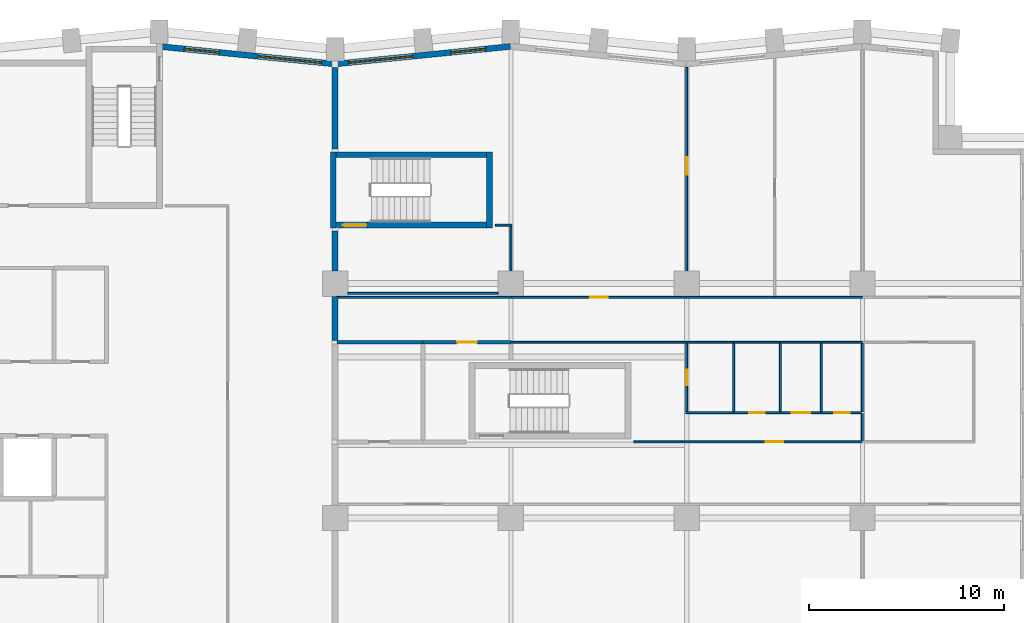
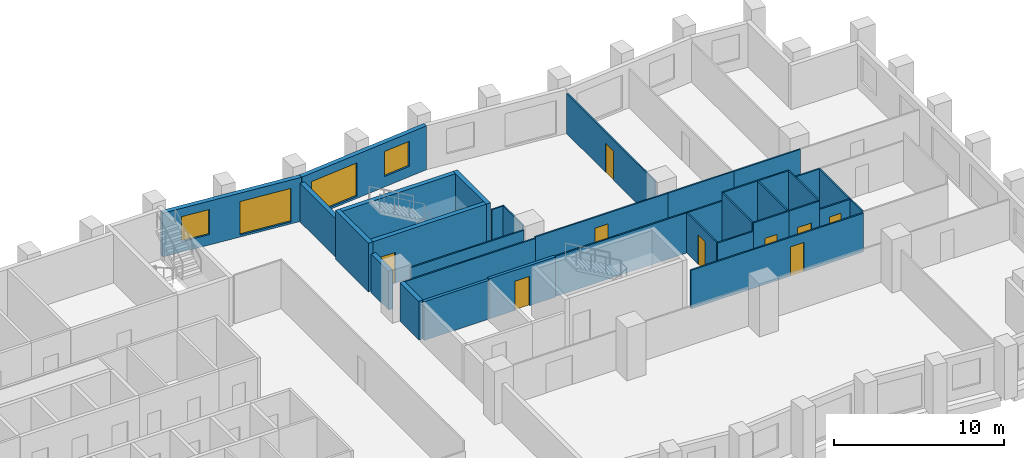
# One storey, part 7 of 11: 35 walls, 9 doors, 4 windows, 13 openings.
"""IFC4 building model written with IfcOpenShell, lengths in metres."""

from ifc_helpers import new_model, si_unit, direction, frame, frame_2d, origin, place, context, subcontext, project, spatial, rectangle, extrude, material, layer, layer_set, type_object, element, fill, save


model = new_model("IFC4")

# Units and contexts
model_context = context("Model", 3, precision=1e-05, world=origin(), true_north=direction((0.0, 1.0)))
body_context = subcontext(model_context, "Body", "Model", "MODEL_VIEW")
ifc_project = project(units=[si_unit("LENGTHUNIT", "METRE"), si_unit("AREAUNIT", "SQUARE_METRE"), si_unit("VOLUMEUNIT", "CUBIC_METRE"), si_unit("PLANEANGLEUNIT", "RADIAN"), si_unit("MASSUNIT", "GRAM", prefix="KILO")], contexts=[model_context])

# Site, building, storey
site_placement = place(None, origin())
site = spatial("IfcSite", under=ifc_project, at=site_placement, CompositionType="ELEMENT")
building_placement = place(site_placement, origin())
building = spatial("IfcBuilding", under=site, at=building_placement, Name="Brondeck Convention Tower", CompositionType="ELEMENT")
storey_placement = place(building_placement, frame((0.0, 0.0, 118.89990234375)))
storey = spatial("IfcBuildingStorey", under=building, at=storey_placement, Name="L28", CompositionType="ELEMENT", Elevation=118.89990234375)

# Walls
ifc_material_1 = material(Name="Concrete compartment wall C30/37", Category="concrete")
ifc_layer_1 = layer(ifc_material_1, 0.300048828125)
ifc_layer_set_1 = layer_set([ifc_layer_1], Name="Compartment wall 300")
wall_type_1 = type_object("IfcWallType", Name="Compartment wall 300", PredefinedType="PARTITIONING", material=ifc_layer_set_1)
wall_1_placement = place(storey_placement, frame((36.0, 48.10009765625, 0.0), z_axis=(0.0, 0.0, 1.0), x_axis=(0.0, 1.0, 0.0)))
element("IfcWall", 1, at=wall_1_placement, inside=storey, type_object=wall_type_1, Name="FLR-L28-W054", PredefinedType="PARTITIONING", context=body_context, shape_type="SweptSolid", body=[
    extrude(rectangle(XDim=2.22998046875, YDim=0.300048828125, at=frame_2d((1.114990234375, 0.0))), origin(), (0.0, 0.0, 1.0), 2.780029296875),
])
wall_2_placement = place(storey_placement, frame((36.0, 51.655029296875, 0.0), z_axis=(0.0, 0.0, 1.0), x_axis=(0.0, 1.0, 0.0)))
element("IfcWall", 2, at=wall_2_placement, inside=storey, type_object=wall_type_1, Name="FLR-L28-W061", PredefinedType="PARTITIONING", context=body_context, shape_type="SweptSolid", body=[
    extrude(rectangle(XDim=2.044921875, YDim=0.300048828125, at=frame_2d((1.0224609375, 0.0))), origin(), (0.0, 0.0, 1.0), 2.780029296875),
])
wall_3_placement = place(storey_placement, frame((36.0, 57.89990234375, 0.0), z_axis=(0.0, 0.0, 1.0), x_axis=(0.0, 1.0, 0.0)))
element("IfcWall", 3, at=wall_3_placement, inside=storey, type_object=wall_type_1, Name="FLR-L28-W066", PredefinedType="PARTITIONING", context=body_context, shape_type="SweptSolid", body=[
    extrude(rectangle(XDim=4.175537109375, YDim=0.300048828125, at=frame_2d((2.087890625, 0.0))), origin(), (0.0, 0.0, 1.0), 2.780029296875),
])

# Wall, openings, windows
ifc_material_2 = material(Name="Precast concrete C50/60 bronze finish", Category="concrete")
ifc_layer_2 = layer(ifc_material_2, 0.070068359375, Name="Bronze precast facing")
ifc_material_3 = material(Name="Mineral wool")
ifc_layer_3 = layer(ifc_material_3, 0.159912109375, Name="Insulation")
ifc_material_4 = material(Name="Concrete C35/45", Category="concrete")
ifc_layer_4 = layer(ifc_material_4, 0.070068359375, Name="Backing")
ifc_layer_set_2 = layer_set([ifc_layer_2, ifc_layer_3, ifc_layer_4], Name="External infill wall, precast concrete C50/60 bronze facing")
wall_type_2 = type_object("IfcWallType", Name="External infill wall, precast concrete C50/60 bronze facing", PredefinedType="SOLIDWALL", material=ifc_layer_set_2)
wall_4_placement = place(storey_placement, frame((35.985107421875, 62.244873046875, 0.0), z_axis=(0.0, 0.0, 1.0), x_axis=(0.995037993253, 0.099495688264, 0.0)))
wall_4 = element("IfcWall", 4, at=wall_4_placement, inside=storey, type_object=wall_type_2, Name="ENV-EW-L28-P0-A-N-09", PredefinedType="SOLIDWALL", context=body_context, shape_type="SweptSolid", body=[
    extrude(rectangle(XDim=9.030029296875, YDim=0.300048828125, at=frame_2d((4.51513671875, 0.0))), origin(), (0.0, 0.0, 1.0), 3.150146484375),
])
opening_1_placement = place(wall_4_placement, frame((0.701171875, 0.0, 0.14990234375)))
opening_1 = element("IfcOpeningElement", 5, at=opening_1_placement, cuts=wall_4, Name="Opening W9", PredefinedType="OPENING", context=body_context, shape_type="SweptSolid", body=[
    extrude(rectangle(XDim=3.300048828125, YDim=2.39990234375, at=frame_2d((1.64990234375, 1.199951171875))), frame((0.0, 0.159912109375, 0.0), z_axis=(0.0, -1.0, 0.0), x_axis=(1.0, 0.0, 0.0)), (0.0, 0.0, 1.0), 0.320068359375),
])
opening_2_placement = place(wall_4_placement, frame((5.9736328125, 0.0, 0.75)))
opening_2 = element("IfcOpeningElement", 6, at=opening_2_placement, cuts=wall_4, Name="Opening W10", PredefinedType="OPENING", context=body_context, shape_type="SweptSolid", body=[
    extrude(rectangle(XDim=1.800048828125, YDim=1.800048828125, at=frame_2d((0.89990234375, 0.89990234375))), frame((0.0, 0.159912109375, 0.0), z_axis=(0.0, -1.0, 0.0), x_axis=(1.0, 0.0, 0.0)), (0.0, 0.0, 1.0), 0.320068359375),
])
ifc_material_5 = material(Name="Bronze tinted double glazing", Category="glass")
window_type_1 = type_object("IfcWindowType", Name="Glazed flute window, bronze tinted", PartitioningType="SINGLE_PANEL", PredefinedType="WINDOW", material=ifc_material_5)
window_1_placement = place(opening_1_placement, origin())
window_1 = element("IfcWindow", 7, at=window_1_placement, inside=storey, type_object=window_type_1, Name="ENV-WN-L28-P0-A-N-08", OverallHeight=2.39990234375, OverallWidth=3.300048828125, PartitioningType="SINGLE_PANEL", PredefinedType="WINDOW", context=body_context, shape_type="SweptSolid", body=[
    extrude(rectangle(XDim=3.300048828125, YDim=2.39990234375, at=frame_2d((1.64990234375, 1.199951171875))), frame((0.0, 0.030029296875, 0.0), z_axis=(0.0, -1.0, 0.0), x_axis=(1.0, 0.0, 0.0)), (0.0, 0.0, 1.0), 0.06005859375),
])
fill(opening_1, window_1)
window_type_2 = type_object("IfcWindowType", Name="Punched window, bronze tinted", PartitioningType="SINGLE_PANEL", PredefinedType="WINDOW", material=ifc_material_5)
window_2_placement = place(opening_2_placement, origin())
window_2 = element("IfcWindow", 8, at=window_2_placement, inside=storey, type_object=window_type_2, Name="ENV-WN-L28-P0-A-N-09", OverallHeight=1.800048828125, OverallWidth=1.800048828125, PartitioningType="SINGLE_PANEL", PredefinedType="WINDOW", context=body_context, shape_type="SweptSolid", body=[
    extrude(rectangle(XDim=1.800048828125, YDim=1.800048828125, at=frame_2d((0.89990234375, 0.89990234375))), frame((0.0, 0.030029296875, 0.0), z_axis=(0.0, -1.0, 0.0), x_axis=(1.0, 0.0, 0.0)), (0.0, 0.0, 1.0), 0.06005859375),
])
fill(opening_2, window_2)

wall_5_placement = place(storey_placement, frame((27.07470703125, 63.138916015625, 0.0), z_axis=(0.0, 0.0, 1.0), x_axis=(0.995036108601, -0.099514534519, 0.0)))
wall_5 = element("IfcWall", 9, at=wall_5_placement, inside=storey, type_object=wall_type_2, Name="ENV-EW-L28-P0-A-N-07", PredefinedType="SOLIDWALL", context=body_context, shape_type="SweptSolid", body=[
    extrude(rectangle(XDim=8.93994140625, YDim=0.300048828125, at=frame_2d((4.469970703125, 0.0))), origin(), (0.0, 0.0, 1.0), 3.150146484375),
])
opening_3_placement = place(wall_5_placement, frame((1.211181640625, 0.0, 0.75)))
opening_3 = element("IfcOpeningElement", 10, at=opening_3_placement, cuts=wall_5, Name="Opening W10", PredefinedType="OPENING", context=body_context, shape_type="SweptSolid", body=[
    extrude(rectangle(XDim=1.800048828125, YDim=1.800048828125, at=frame_2d((0.89990234375, 0.89990234375))), frame((0.0, 0.159912109375, 0.0), z_axis=(0.0, -1.0, 0.0), x_axis=(1.0, 0.0, 0.0)), (0.0, 0.0, 1.0), 0.320068359375),
])
opening_4_placement = place(wall_5_placement, frame((4.983642578125, 0.0, 0.14990234375)))
opening_4 = element("IfcOpeningElement", 11, at=opening_4_placement, cuts=wall_5, Name="Opening W9", PredefinedType="OPENING", context=body_context, shape_type="SweptSolid", body=[
    extrude(rectangle(XDim=3.300048828125, YDim=2.39990234375, at=frame_2d((1.64990234375, 1.199951171875))), frame((0.0, 0.159912109375, 0.0), z_axis=(0.0, -1.0, 0.0), x_axis=(1.0, 0.0, 0.0)), (0.0, 0.0, 1.0), 0.320068359375),
])
window_3_placement = place(opening_4_placement, origin())
window_3 = element("IfcWindow", 12, at=window_3_placement, inside=storey, type_object=window_type_1, Name="ENV-WN-L28-P0-A-N-07", OverallHeight=2.39990234375, OverallWidth=3.300048828125, PartitioningType="SINGLE_PANEL", PredefinedType="WINDOW", context=body_context, shape_type="SweptSolid", body=[
    extrude(rectangle(XDim=3.300048828125, YDim=2.39990234375, at=frame_2d((1.64990234375, 1.199951171875))), frame((0.0, 0.030029296875, 0.0), z_axis=(0.0, -1.0, 0.0), x_axis=(1.0, 0.0, 0.0)), (0.0, 0.0, 1.0), 0.06005859375),
])
fill(opening_4, window_3)
window_4_placement = place(opening_3_placement, origin())
window_4 = element("IfcWindow", 13, at=window_4_placement, inside=storey, type_object=window_type_2, Name="ENV-WN-L28-P0-A-N-06", OverallHeight=1.800048828125, OverallWidth=1.800048828125, PartitioningType="SINGLE_PANEL", PredefinedType="WINDOW", context=body_context, shape_type="SweptSolid", body=[
    extrude(rectangle(XDim=1.800048828125, YDim=1.800048828125, at=frame_2d((0.89990234375, 0.89990234375))), frame((0.0, 0.030029296875, 0.0), z_axis=(0.0, -1.0, 0.0), x_axis=(1.0, 0.0, 0.0)), (0.0, 0.0, 1.0), 0.06005859375),
])
fill(opening_3, window_4)

# Wall
ifc_material_6 = material(Name="Concrete block wall C16/20", Category="concrete")
ifc_layer_5 = layer(ifc_material_6, 0.199951171875)
ifc_layer_set_3 = layer_set([ifc_layer_5], Name="Plant room wall 200")
wall_type_3 = type_object("IfcWallType", Name="Plant room wall 200", PredefinedType="PARTITIONING", material=ifc_layer_set_3)
wall_6_placement = place(storey_placement, frame((40.5, 48.0, 0.0), z_axis=(0.0, 0.0, 1.0), x_axis=(-1.0, 0.0, 0.0)))
element("IfcWall", 14, at=wall_6_placement, inside=storey, type_object=wall_type_3, Name="FLR-L28-W046", PredefinedType="PARTITIONING", context=body_context, shape_type="SweptSolid", body=[
    extrude(rectangle(XDim=4.39990234375, YDim=0.199951171875, at=frame_2d((2.199951171875, 0.0))), origin(), (0.0, 0.0, 1.0), 2.780029296875),
])

# Wall, opening, door
wall_7_placement = place(storey_placement, frame((45.0, 48.0, 0.0), z_axis=(0.0, 0.0, 1.0), x_axis=(-1.0, 0.0, 0.0)))
wall_7 = element("IfcWall", 15, at=wall_7_placement, inside=storey, type_object=wall_type_3, Name="FLR-L28-W047", PredefinedType="PARTITIONING", context=body_context, shape_type="SweptSolid", body=[
    extrude(rectangle(XDim=4.5, YDim=0.199951171875, at=frame_2d((2.25, 0.0))), origin(), (0.0, 0.0, 1.0), 2.880126953125),
])
opening_5_placement = place(wall_7_placement, frame((1.75, 0.0, 0.0)))
opening_5 = element("IfcOpeningElement", 16, at=opening_5_placement, cuts=wall_7, Name="Opening OF-C-003", PredefinedType="OPENING", context=body_context, shape_type="SweptSolid", body=[
    extrude(rectangle(XDim=1.0, YDim=2.10009765625, at=frame_2d((0.5, 1.050048828125))), frame((0.0, 0.10986328125, 0.0), z_axis=(0.0, -1.0, 0.0), x_axis=(1.0, 0.0, 0.0)), (0.0, 0.0, 1.0), 0.219970703125),
])
ifc_material_7 = material(Name="Steel fire door leaf", Category="steel")
door_type_1 = type_object("IfcDoorType", Name="Plant room door 1000", OperationType="NOTDEFINED", PredefinedType="DOOR", material=ifc_material_7)
door_1_placement = place(opening_5_placement, origin())
door_1 = element("IfcDoor", 17, at=door_1_placement, inside=storey, type_object=door_type_1, Name="Door OF-C-003", OperationType="SINGLE_SWING_LEFT", OverallHeight=2.10009765625, OverallWidth=1.0, PredefinedType="DOOR", context=body_context, shape_type="SweptSolid", body=[
    extrude(rectangle(XDim=1.0, YDim=2.10009765625, at=frame_2d((0.5, 1.050048828125))), frame((0.0, 0.02490234375, 0.0), z_axis=(0.0, -1.0, 0.0), x_axis=(1.0, 0.0, 0.0)), (0.0, 0.0, 1.0), 0.050048828125),
])
fill(opening_5, door_1)

ifc_material_8 = material(Name="Gypsum board partition on steel studs", Category="steel")
ifc_layer_6 = layer(ifc_material_8, 0.10009765625)
ifc_layer_set_4 = layer_set([ifc_layer_6], Name="Room partition 100")
wall_type_4 = type_object("IfcWallType", Name="Room partition 100", PredefinedType="PARTITIONING", material=ifc_layer_set_4)
wall_8_placement = place(storey_placement, frame((51.300048828125, 42.89990234375, 0.0), z_axis=(0.0, 0.0, 1.0), x_axis=(1.0, 0.0, 0.0)))
wall_8 = element("IfcWall", 18, at=wall_8_placement, inside=storey, type_object=wall_type_4, Name="FLR-L28-W030", PredefinedType="PARTITIONING", context=body_context, shape_type="SweptSolid", body=[
    extrude(rectangle(XDim=11.699951171875, YDim=0.10009765625, at=frame_2d((5.85009765625, 0.0))), origin(), (0.0, 0.0, 1.0), 2.780029296875),
])
opening_6_placement = place(wall_8_placement, frame((6.75, 0.0, 0.0)))
opening_6 = element("IfcOpeningElement", 19, at=opening_6_placement, cuts=wall_8, Name="Opening OF-C-004", PredefinedType="OPENING", context=body_context, shape_type="SweptSolid", body=[
    extrude(rectangle(XDim=0.89990234375, YDim=2.10009765625, at=frame_2d((0.449951171875, 1.050048828125))), frame((0.0, 0.06005859375, 0.0), z_axis=(0.0, -1.0, 0.0), x_axis=(1.0, 0.0, 0.0)), (0.0, 0.0, 1.0), 0.1201171875),
])
ifc_material_9 = material(Name="Solid timber door leaf", Category="wood")
door_type_2 = type_object("IfcDoorType", Name="Single door 900", OperationType="NOTDEFINED", PredefinedType="DOOR", material=ifc_material_9)
door_2_placement = place(opening_6_placement, origin())
door_2 = element("IfcDoor", 20, at=door_2_placement, inside=storey, type_object=door_type_2, Name="Door OF-C-004", OperationType="SINGLE_SWING_LEFT", OverallHeight=2.10009765625, OverallWidth=0.89990234375, PredefinedType="DOOR", context=body_context, shape_type="SweptSolid", body=[
    extrude(rectangle(XDim=0.89990234375, YDim=2.10009765625, at=frame_2d((0.449951171875, 1.050048828125))), frame((0.0, 0.02490234375, 0.0), z_axis=(0.0, -1.0, 0.0), x_axis=(1.0, 0.0, 0.0)), (0.0, 0.0, 1.0), 0.050048828125),
])
fill(opening_6, door_2)

# Walls
wall_9_placement = place(storey_placement, frame((63.0, 44.35009765625, 0.0), z_axis=(0.0, 0.0, 1.0), x_axis=(0.0, -1.0, 0.0)))
element("IfcWall", 21, at=wall_9_placement, inside=storey, type_object=wall_type_4, Name="FLR-L28-W034", PredefinedType="PARTITIONING", context=body_context, shape_type="SweptSolid", body=[
    extrude(rectangle(XDim=1.400146484375, YDim=0.10009765625, at=frame_2d((0.7001953125, 0.0))), origin(), (0.0, 0.0, 1.0), 2.880126953125),
])
wall_10_placement = place(storey_placement, frame((53.949951171875, 44.39990234375, 0.0), z_axis=(0.0, 0.0, 1.0), x_axis=(1.0, 0.0, 0.0)))
element("IfcWall", 22, at=wall_10_placement, inside=storey, type_object=wall_type_4, Name="FLR-L28-W035", PredefinedType="PARTITIONING", context=body_context, shape_type="SweptSolid", body=[
    extrude(rectangle(XDim=2.449951171875, YDim=0.10009765625, at=frame_2d((1.22509765625, 0.0))), origin(), (0.0, 0.0, 1.0), 2.880126953125),
])

# Wall, opening, door
wall_11_placement = place(storey_placement, frame((56.39990234375, 44.39990234375, 0.0), z_axis=(0.0, 0.0, 1.0), x_axis=(1.0, 0.0, 0.0)))
wall_11 = element("IfcWall", 23, at=wall_11_placement, inside=storey, type_object=wall_type_4, Name="FLR-L28-W036", PredefinedType="PARTITIONING", context=body_context, shape_type="SweptSolid", body=[
    extrude(rectangle(XDim=2.400146484375, YDim=0.10009765625, at=frame_2d((1.2001953125, 0.0))), origin(), (0.0, 0.0, 1.0), 3.47998046875),
])
opening_7_placement = place(wall_11_placement, frame((0.800048828125, 0.0, 0.0)))
opening_7 = element("IfcOpeningElement", 24, at=opening_7_placement, cuts=wall_11, Name="Opening OF-C-006", PredefinedType="OPENING", context=body_context, shape_type="SweptSolid", body=[
    extrude(rectangle(XDim=0.800048828125, YDim=2.10009765625, at=frame_2d((0.39990234375, 1.050048828125))), frame((0.0, 0.06005859375, 0.0), z_axis=(0.0, -1.0, 0.0), x_axis=(1.0, 0.0, 0.0)), (0.0, 0.0, 1.0), 0.1201171875),
])
door_type_3 = type_object("IfcDoorType", Name="En-suite door 800", OperationType="NOTDEFINED", PredefinedType="DOOR", material=ifc_material_9)
door_3_placement = place(opening_7_placement, origin())
door_3 = element("IfcDoor", 25, at=door_3_placement, inside=storey, type_object=door_type_3, Name="Door OF-C-006", OperationType="SINGLE_SWING_RIGHT", OverallHeight=2.10009765625, OverallWidth=0.800048828125, PredefinedType="DOOR", context=body_context, shape_type="SweptSolid", body=[
    extrude(rectangle(XDim=0.800048828125, YDim=2.10009765625, at=frame_2d((0.39990234375, 1.050048828125))), frame((0.0, 0.02490234375, 0.0), z_axis=(0.0, -1.0, 0.0), x_axis=(1.0, 0.0, 0.0)), (0.0, 0.0, 1.0), 0.050048828125),
])
fill(opening_7, door_3)

wall_12_placement = place(storey_placement, frame((58.800048828125, 44.39990234375, 0.0), z_axis=(0.0, 0.0, 1.0), x_axis=(1.0, 0.0, 0.0)))
wall_12 = element("IfcWall", 26, at=wall_12_placement, inside=storey, type_object=wall_type_4, Name="FLR-L28-W037", PredefinedType="PARTITIONING", context=body_context, shape_type="SweptSolid", body=[
    extrude(rectangle(XDim=2.099853515625, YDim=0.10009765625, at=frame_2d((1.0498046875, 0.0))), origin(), (0.0, 0.0, 1.0), 3.47998046875),
])
opening_8_placement = place(wall_12_placement, frame((0.574951171875, 0.0, 0.0)))
opening_8 = element("IfcOpeningElement", 27, at=opening_8_placement, cuts=wall_12, Name="Opening OF-C-007", PredefinedType="OPENING", context=body_context, shape_type="SweptSolid", body=[
    extrude(rectangle(XDim=0.949951171875, YDim=2.10009765625, at=frame_2d((0.47509765625, 1.050048828125))), frame((0.0, 0.06005859375, 0.0), z_axis=(0.0, -1.0, 0.0), x_axis=(1.0, 0.0, 0.0)), (0.0, 0.0, 1.0), 0.1201171875),
])
door_type_4 = type_object("IfcDoorType", Name="Accessible door 950", OperationType="NOTDEFINED", PredefinedType="DOOR", material=ifc_material_9)
door_4_placement = place(opening_8_placement, origin())
door_4 = element("IfcDoor", 28, at=door_4_placement, inside=storey, type_object=door_type_4, Name="Door OF-C-007", OperationType="SINGLE_SWING_LEFT", OverallHeight=2.10009765625, OverallWidth=0.949951171875, PredefinedType="DOOR", context=body_context, shape_type="SweptSolid", body=[
    extrude(rectangle(XDim=0.949951171875, YDim=2.10009765625, at=frame_2d((0.47509765625, 1.050048828125))), frame((0.0, 0.02490234375, 0.0), z_axis=(0.0, -1.0, 0.0), x_axis=(1.0, 0.0, 0.0)), (0.0, 0.0, 1.0), 0.050048828125),
])
fill(opening_8, door_4)

wall_13_placement = place(storey_placement, frame((60.89990234375, 44.39990234375, 0.0), z_axis=(0.0, 0.0, 1.0), x_axis=(1.0, 0.0, 0.0)))
wall_13 = element("IfcWall", 29, at=wall_13_placement, inside=storey, type_object=wall_type_4, Name="FLR-L28-W038", PredefinedType="PARTITIONING", context=body_context, shape_type="SweptSolid", body=[
    extrude(rectangle(XDim=2.050048828125, YDim=0.10009765625, at=frame_2d((1.02490234375, 0.0))), origin(), (0.0, 0.0, 1.0), 2.880126953125),
])
opening_9_placement = place(wall_13_placement, frame((0.64990234375, 0.0, 0.0)))
opening_9 = element("IfcOpeningElement", 30, at=opening_9_placement, cuts=wall_13, Name="Opening OF-C-008", PredefinedType="OPENING", context=body_context, shape_type="SweptSolid", body=[
    extrude(rectangle(XDim=0.800048828125, YDim=2.10009765625, at=frame_2d((0.39990234375, 1.050048828125))), frame((0.0, 0.06005859375, 0.0), z_axis=(0.0, -1.0, 0.0), x_axis=(1.0, 0.0, 0.0)), (0.0, 0.0, 1.0), 0.1201171875),
])
ifc_material_10 = material(Name="Steel service door leaf", Category="steel")
door_type_5 = type_object("IfcDoorType", Name="Service door 800", OperationType="NOTDEFINED", PredefinedType="DOOR", material=ifc_material_10)
door_5_placement = place(opening_9_placement, origin())
door_5 = element("IfcDoor", 31, at=door_5_placement, inside=storey, type_object=door_type_5, Name="Door OF-C-008", OperationType="SINGLE_SWING_RIGHT", OverallHeight=2.10009765625, OverallWidth=0.800048828125, PredefinedType="DOOR", context=body_context, shape_type="SweptSolid", body=[
    extrude(rectangle(XDim=0.800048828125, YDim=2.10009765625, at=frame_2d((0.39990234375, 1.050048828125))), frame((0.0, 0.02490234375, 0.0), z_axis=(0.0, -1.0, 0.0), x_axis=(1.0, 0.0, 0.0)), (0.0, 0.0, 1.0), 0.050048828125),
])
fill(opening_9, door_5)

wall_14_placement = place(storey_placement, frame((54.0, 47.949951171875, 0.0), z_axis=(0.0, 0.0, 1.0), x_axis=(0.0, -1.0, 0.0)))
wall_14 = element("IfcWall", 32, at=wall_14_placement, inside=storey, type_object=wall_type_4, Name="FLR-L28-W041", PredefinedType="PARTITIONING", context=body_context, shape_type="SweptSolid", body=[
    extrude(rectangle(XDim=3.5, YDim=0.10009765625, at=frame_2d((1.75, 0.0))), origin(), (0.0, 0.0, 1.0), 2.880126953125),
])
opening_10_placement = place(wall_14_placement, frame((1.35009765625, 0.0, 0.0)))
opening_10 = element("IfcOpeningElement", 33, at=opening_10_placement, cuts=wall_14, Name="Opening OF-C-005", PredefinedType="OPENING", context=body_context, shape_type="SweptSolid", body=[
    extrude(rectangle(XDim=0.800048828125, YDim=2.10009765625, at=frame_2d((0.39990234375, 1.050048828125))), frame((0.0, 0.06005859375, 0.0), z_axis=(0.0, -1.0, 0.0), x_axis=(1.0, 0.0, 0.0)), (0.0, 0.0, 1.0), 0.1201171875),
])
door_6_placement = place(opening_10_placement, origin())
door_6 = element("IfcDoor", 34, at=door_6_placement, inside=storey, type_object=door_type_3, Name="Door OF-C-005", OperationType="SINGLE_SWING_LEFT", OverallHeight=2.10009765625, OverallWidth=0.800048828125, PredefinedType="DOOR", context=body_context, shape_type="SweptSolid", body=[
    extrude(rectangle(XDim=0.800048828125, YDim=2.10009765625, at=frame_2d((0.39990234375, 1.050048828125))), frame((0.0, 0.02490234375, 0.0), z_axis=(0.0, -1.0, 0.0), x_axis=(1.0, 0.0, 0.0)), (0.0, 0.0, 1.0), 0.050048828125),
])
fill(opening_10, door_6)

# Walls
for number, where, z_axis, x_axis, name in (
    (35, (56.39990234375, 47.949951171875, 0.0), (0.0, 0.0, 1.0), (0.0, -1.0, 0.0), "FLR-L28-W042"),
    (36, (58.800048828125, 47.949951171875, 0.0), (0.0, 0.0, 1.0), (0.0, -1.0, 0.0), "FLR-L28-W043"),
    (37, (60.89990234375, 47.949951171875, 0.0), (0.0, 0.0, 1.0), (0.0, -1.0, 0.0), "FLR-L28-W044"),
):
    element("IfcWall", number, at=place(storey_placement, frame(where, z_axis=z_axis, x_axis=x_axis)), inside=storey, type_object=wall_type_4, Name=name, PredefinedType="PARTITIONING", context=body_context, shape_type="SweptSolid", body=[
        extrude(rectangle(XDim=3.5, YDim=0.10009765625, at=frame_2d((1.75, 0.0))), origin(), (0.0, 0.0, 1.0), 3.47998046875),
    ])
wall_15_placement = place(storey_placement, frame((63.0, 47.949951171875, 0.0), z_axis=(0.0, 0.0, 1.0), x_axis=(0.0, -1.0, 0.0)))
element("IfcWall", 38, at=wall_15_placement, inside=storey, type_object=wall_type_4, Name="FLR-L28-W045", PredefinedType="PARTITIONING", context=body_context, shape_type="SweptSolid", body=[
    extrude(rectangle(XDim=3.5, YDim=0.10009765625, at=frame_2d((1.75, 0.0))), origin(), (0.0, 0.0, 1.0), 2.880126953125),
])
wall_16_placement = place(storey_placement, frame((54.0, 48.0, 0.0), z_axis=(0.0, 0.0, 1.0), x_axis=(-1.0, 0.0, 0.0)))
element("IfcWall", 39, at=wall_16_placement, inside=storey, type_object=wall_type_4, Name="FLR-L28-W048", PredefinedType="PARTITIONING", context=body_context, shape_type="SweptSolid", body=[
    extrude(rectangle(XDim=9.0, YDim=0.10009765625, at=frame_2d((4.5, 0.0))), origin(), (0.0, 0.0, 1.0), 2.880126953125),
])
wall_17_placement = place(storey_placement, frame((56.39990234375, 48.0, 0.0), z_axis=(0.0, 0.0, 1.0), x_axis=(-1.0, 0.0, 0.0)))
element("IfcWall", 40, at=wall_17_placement, inside=storey, type_object=wall_type_4, Name="FLR-L28-W049", PredefinedType="PARTITIONING", context=body_context, shape_type="SweptSolid", body=[
    extrude(rectangle(XDim=2.39990234375, YDim=0.10009765625, at=frame_2d((1.199951171875, 0.0))), origin(), (0.0, 0.0, 1.0), 2.880126953125),
])
wall_18_placement = place(storey_placement, frame((58.800048828125, 48.0, 0.0), z_axis=(0.0, 0.0, 1.0), x_axis=(-1.0, 0.0, 0.0)))
element("IfcWall", 41, at=wall_18_placement, inside=storey, type_object=wall_type_4, Name="FLR-L28-W050", PredefinedType="PARTITIONING", context=body_context, shape_type="SweptSolid", body=[
    extrude(rectangle(XDim=2.400146484375, YDim=0.10009765625, at=frame_2d((1.2001953125, 0.0))), origin(), (0.0, 0.0, 1.0), 3.47998046875),
])
wall_19_placement = place(storey_placement, frame((60.89990234375, 48.0, 0.0), z_axis=(0.0, 0.0, 1.0), x_axis=(-1.0, 0.0, 0.0)))
element("IfcWall", 42, at=wall_19_placement, inside=storey, type_object=wall_type_4, Name="FLR-L28-W051", PredefinedType="PARTITIONING", context=body_context, shape_type="SweptSolid", body=[
    extrude(rectangle(XDim=2.099853515625, YDim=0.10009765625, at=frame_2d((1.0498046875, 0.0))), origin(), (0.0, 0.0, 1.0), 3.47998046875),
])
wall_20_placement = place(storey_placement, frame((63.0, 48.0, 0.0), z_axis=(0.0, 0.0, 1.0), x_axis=(-1.0, 0.0, 0.0)))
element("IfcWall", 43, at=wall_20_placement, inside=storey, type_object=wall_type_4, Name="FLR-L28-W052", PredefinedType="PARTITIONING", context=body_context, shape_type="SweptSolid", body=[
    extrude(rectangle(XDim=2.10009765625, YDim=0.10009765625, at=frame_2d((1.050048828125, 0.0))), origin(), (0.0, 0.0, 1.0), 2.880126953125),
])
wall_21_placement = place(storey_placement, frame((36.050048828125, 50.300048828125, 0.0), z_axis=(0.0, 0.0, 1.0), x_axis=(1.0, 0.0, 0.0)))
element("IfcWall", 44, at=wall_21_placement, inside=storey, type_object=wall_type_4, Name="FLR-L28-W055", PredefinedType="PARTITIONING", context=body_context, shape_type="SweptSolid", body=[
    extrude(rectangle(XDim=8.949951171875, YDim=0.10009765625, at=frame_2d((4.47509765625, 0.0))), origin(), (0.0, 0.0, 1.0), 2.780029296875),
])

# Wall, opening, door
wall_22_placement = place(storey_placement, frame((45.0, 50.300048828125, 0.0), z_axis=(0.0, 0.0, 1.0), x_axis=(1.0, 0.0, 0.0)))
wall_22 = element("IfcWall", 45, at=wall_22_placement, inside=storey, type_object=wall_type_4, Name="FLR-L28-W056", PredefinedType="PARTITIONING", context=body_context, shape_type="SweptSolid", body=[
    extrude(rectangle(XDim=9.0, YDim=0.10009765625, at=frame_2d((4.5, 0.0))), origin(), (0.0, 0.0, 1.0), 2.880126953125),
])
opening_11_placement = place(wall_22_placement, frame((4.050048828125, 0.0, 0.0)))
opening_11 = element("IfcOpeningElement", 46, at=opening_11_placement, cuts=wall_22, Name="Opening OF-C-012", PredefinedType="OPENING", context=body_context, shape_type="SweptSolid", body=[
    extrude(rectangle(XDim=0.89990234375, YDim=2.10009765625, at=frame_2d((0.449951171875, 1.050048828125))), frame((0.0, 0.06005859375, 0.0), z_axis=(0.0, -1.0, 0.0), x_axis=(1.0, 0.0, 0.0)), (0.0, 0.0, 1.0), 0.1201171875),
])
door_7_placement = place(opening_11_placement, origin())
door_7 = element("IfcDoor", 47, at=door_7_placement, inside=storey, type_object=door_type_2, Name="Door OF-C-012", OperationType="SINGLE_SWING_LEFT", OverallHeight=2.10009765625, OverallWidth=0.89990234375, PredefinedType="DOOR", context=body_context, shape_type="SweptSolid", body=[
    extrude(rectangle(XDim=0.89990234375, YDim=2.10009765625, at=frame_2d((0.449951171875, 1.050048828125))), frame((0.0, 0.02490234375, 0.0), z_axis=(0.0, -1.0, 0.0), x_axis=(1.0, 0.0, 0.0)), (0.0, 0.0, 1.0), 0.050048828125),
])
fill(opening_11, door_7)

# Walls
for number, where, z_axis, x_axis, name in (
    (48, (54.0, 50.300048828125, 0.0), (0.0, 0.0, 1.0), (1.0, 0.0, 0.0), "FLR-L28-W057"),
    (49, (58.5, 50.300048828125, 0.0), (0.0, 0.0, 1.0), (1.0, 0.0, 0.0), "FLR-L28-W058"),
):
    element("IfcWall", number, at=place(storey_placement, frame(where, z_axis=z_axis, x_axis=x_axis)), inside=storey, type_object=wall_type_4, Name=name, PredefinedType="PARTITIONING", context=body_context, shape_type="SweptSolid", body=[
        extrude(rectangle(XDim=4.5, YDim=0.10009765625, at=frame_2d((2.25, 0.0))), origin(), (0.0, 0.0, 1.0), 2.880126953125),
    ])
wall_23_placement = place(storey_placement, frame((44.344970703125, 50.5, 0.0), z_axis=(0.0, 0.0, 1.0), x_axis=(-1.0, 0.0, 0.0)))
element("IfcWall", 50, at=wall_23_placement, inside=storey, type_object=wall_type_4, Name="FLR-L28-W060", PredefinedType="PARTITIONING", context=body_context, shape_type="SweptSolid", body=[
    extrude(rectangle(XDim=7.68994140625, YDim=0.10009765625, at=frame_2d((3.844970703125, 0.0))), origin(), (0.0, 0.0, 1.0), 3.47998046875),
])
wall_24_placement = place(storey_placement, frame((45.0, 53.949951171875, 0.0), z_axis=(0.0, 0.0, 1.0), x_axis=(0.0, -1.0, 0.0)))
element("IfcWall", 51, at=wall_24_placement, inside=storey, type_object=wall_type_4, Name="FLR-L28-W062", PredefinedType="PARTITIONING", context=body_context, shape_type="SweptSolid", body=[
    extrude(rectangle(XDim=2.294921875, YDim=0.10009765625, at=frame_2d((1.1474609375, 0.0))), origin(), (0.0, 0.0, 1.0), 2.880126953125),
])
wall_25_placement = place(storey_placement, frame((44.199951171875, 54.0, 0.0), z_axis=(0.0, 0.0, 1.0), x_axis=(1.0, 0.0, 0.0)))
element("IfcWall", 52, at=wall_25_placement, inside=storey, type_object=wall_type_4, Name="FLR-L28-W063", PredefinedType="PARTITIONING", context=body_context, shape_type="SweptSolid", body=[
    extrude(rectangle(XDim=0.85009765625, YDim=0.10009765625, at=frame_2d((0.425048828125, 0.0))), origin(), (0.0, 0.0, 1.0), 2.880126953125),
])

# Wall, opening, door
wall_26_placement = place(storey_placement, frame((54.0, 62.075439453125, 0.0), z_axis=(0.0, 0.0, 1.0), x_axis=(0.0, -1.0, 0.0)))
wall_26 = element("IfcWall", 53, at=wall_26_placement, inside=storey, type_object=wall_type_4, Name="FLR-L28-W067", PredefinedType="PARTITIONING", context=body_context, shape_type="SweptSolid", body=[
    extrude(rectangle(XDim=10.42041015625, YDim=0.10009765625, at=frame_2d((5.210205078125, 0.0))), origin(), (0.0, 0.0, 1.0), 2.880126953125),
])
opening_12_placement = place(wall_26_placement, frame((4.6005859375, 0.0, 0.0)))
opening_12 = element("IfcOpeningElement", 54, at=opening_12_placement, cuts=wall_26, Name="Opening OF-C-013", PredefinedType="OPENING", context=body_context, shape_type="SweptSolid", body=[
    extrude(rectangle(XDim=0.89990234375, YDim=2.10009765625, at=frame_2d((0.449951171875, 1.050048828125))), frame((0.0, 0.06005859375, 0.0), z_axis=(0.0, -1.0, 0.0), x_axis=(1.0, 0.0, 0.0)), (0.0, 0.0, 1.0), 0.1201171875),
])
door_8_placement = place(opening_12_placement, origin())
door_8 = element("IfcDoor", 55, at=door_8_placement, inside=storey, type_object=door_type_2, Name="Door OF-C-013", OperationType="SINGLE_SWING_RIGHT", OverallHeight=2.10009765625, OverallWidth=0.89990234375, PredefinedType="DOOR", context=body_context, shape_type="SweptSolid", body=[
    extrude(rectangle(XDim=0.89990234375, YDim=2.10009765625, at=frame_2d((0.449951171875, 1.050048828125))), frame((0.0, 0.02490234375, 0.0), z_axis=(0.0, -1.0, 0.0), x_axis=(1.0, 0.0, 0.0)), (0.0, 0.0, 1.0), 0.050048828125),
])
fill(opening_12, door_8)

ifc_material_11 = material(Name="Concrete C70/85", Category="concrete")
ifc_layer_7 = layer(ifc_material_11, 0.300048828125)
ifc_layer_set_5 = layer_set([ifc_layer_7], Name="Stair enclosure wall 300 Concrete C70/85")
wall_type_5 = type_object("IfcWallType", Name="Stair enclosure wall 300 Concrete C70/85", PredefinedType="SHEAR", material=ifc_layer_set_5)
wall_27_placement = place(storey_placement, frame((36.050048828125, 54.0, 0.0), z_axis=(0.0, 0.0, 1.0), x_axis=(1.0, 0.0, 0.0)))
wall_27 = element("IfcWall", 56, at=wall_27_placement, inside=storey, type_object=wall_type_5, Name="L28 core wall", PredefinedType="SHEAR", context=body_context, shape_type="SweptSolid", body=[
    extrude(rectangle(XDim=7.699951171875, YDim=0.300048828125, at=frame_2d((3.85009765625, 0.0))), origin(), (0.0, 0.0, 1.0), 3.5),
])
opening_13_placement = place(wall_27_placement, frame((0.35009765625, 0.0, 0.0)))
opening_13 = element("IfcOpeningElement", 57, at=opening_13_placement, cuts=wall_27, Name="Opening C16-20", PredefinedType="OPENING", context=body_context, shape_type="SweptSolid", body=[
    extrude(rectangle(XDim=1.199951171875, YDim=2.199951171875, at=frame_2d((0.60009765625, 1.10009765625))), frame((0.0, 0.159912109375, 0.0), z_axis=(0.0, -1.0, 0.0), x_axis=(1.0, 0.0, 0.0)), (0.0, 0.0, 1.0), 0.320068359375),
])
ifc_material_12 = material(Name="Steel fire door", Category="steel")
door_type_6 = type_object("IfcDoorType", Name="Stair door 1200x2200 EI 90", OperationType="NOTDEFINED", PredefinedType="DOOR", material=ifc_material_12)
door_9_placement = place(opening_13_placement, origin())
door_9 = element("IfcDoor", 58, at=door_9_placement, inside=storey, type_object=door_type_6, Name="L28 Stair door ST-AE", OperationType="SINGLE_SWING_LEFT", OverallHeight=2.199951171875, OverallWidth=1.199951171875, PredefinedType="DOOR", context=body_context, shape_type="SweptSolid", body=[
    extrude(rectangle(XDim=1.199951171875, YDim=2.199951171875, at=frame_2d((0.60009765625, 1.10009765625))), frame((0.0, 0.02490234375, 0.0), z_axis=(0.0, -1.0, 0.0), x_axis=(1.0, 0.0, 0.0)), (0.0, 0.0, 1.0), 0.050048828125),
])
fill(opening_13, door_9)

# Walls
wall_28_placement = place(storey_placement, frame((36.050048828125, 57.60009765625, 0.0), z_axis=(0.0, 0.0, 1.0), x_axis=(1.0, 0.0, 0.0)))
element("IfcWall", 59, at=wall_28_placement, inside=storey, type_object=wall_type_5, Name="L28 core wall", PredefinedType="SHEAR", context=body_context, shape_type="SweptSolid", body=[
    extrude(rectangle(XDim=7.699951171875, YDim=0.300048828125, at=frame_2d((3.85009765625, 0.0))), origin(), (0.0, 0.0, 1.0), 3.5),
])
for number, where, z_axis, x_axis, name in (
    (60, (35.89990234375, 53.85009765625, 0.0), (0.0, 0.0, 1.0), (0.0, 1.0, 0.0), "L28 core wall"),
    (61, (43.89990234375, 53.85009765625, 0.0), (0.0, 0.0, 1.0), (0.0, 1.0, 0.0), "L28 core wall"),
):
    element("IfcWall", number, at=place(storey_placement, frame(where, z_axis=z_axis, x_axis=x_axis)), inside=storey, type_object=wall_type_5, Name=name, PredefinedType="SHEAR", context=body_context, shape_type="SweptSolid", body=[
        extrude(rectangle(XDim=3.89990234375, YDim=0.300048828125, at=frame_2d((1.949951171875, 0.0))), origin(), (0.0, 0.0, 1.0), 3.5),
    ])

save(model, "model.ifc")
